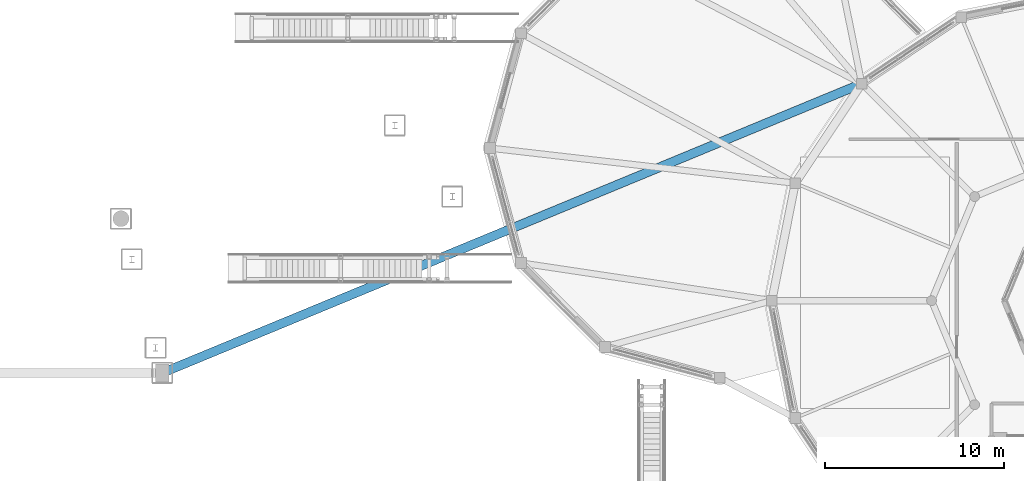
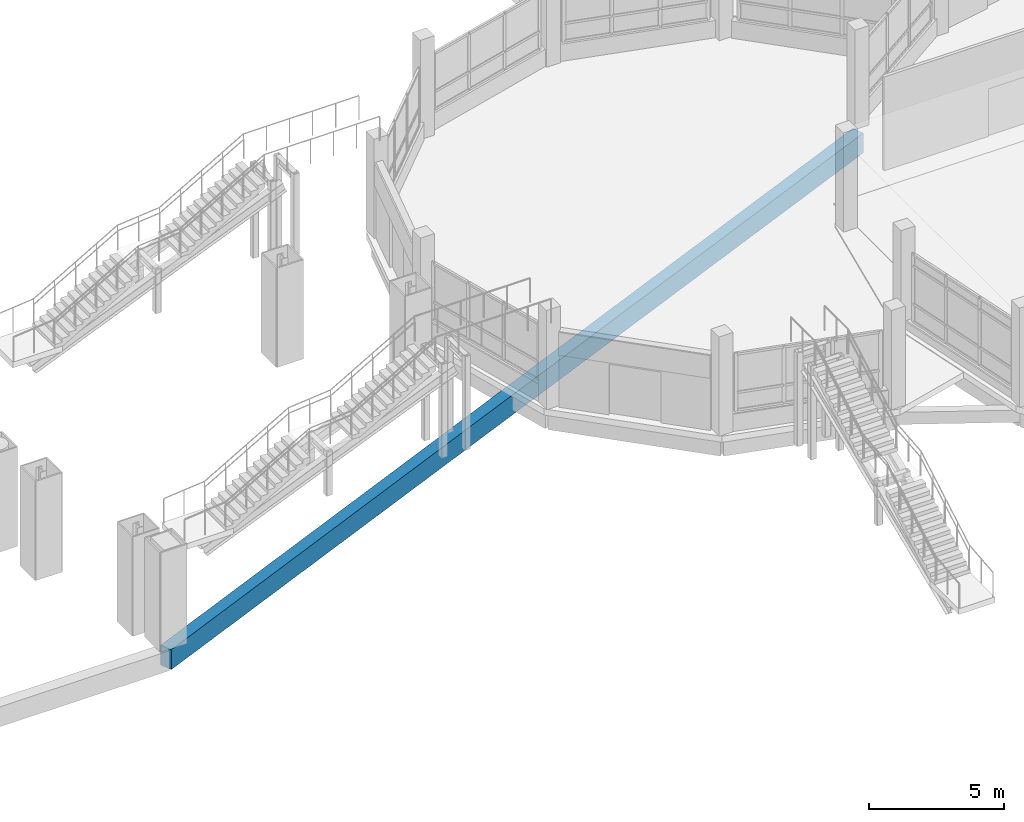
# One storey, part 36 of 129: 1 beam.
"""IFC4 building model written with IfcOpenShell, lengths in metres."""

from ifc_helpers import new_model, si_unit, direction, frame, origin, origin_2d, place, context, subcontext, project, spatial, rectangle, extrude, material, material_profile, profile_set, type_object, element, save


model = new_model("IFC4")

# Units and contexts
model_context = context("Model", 3, precision=1e-05, world=origin(), true_north=direction((0.0, 1.0)))
body_context = subcontext(model_context, "Body", "Model", "MODEL_VIEW")
ifc_project = project(units=[si_unit("LENGTHUNIT", "METRE"), si_unit("AREAUNIT", "SQUARE_METRE"), si_unit("VOLUMEUNIT", "CUBIC_METRE"), si_unit("PLANEANGLEUNIT", "RADIAN"), si_unit("MASSUNIT", "GRAM", prefix="KILO")], contexts=[model_context])

# Site, building, storey
site_placement = place(None, origin())
site = spatial("IfcSite", under=ifc_project, at=site_placement, CompositionType="ELEMENT")
building_placement = place(site_placement, origin())
building = spatial("IfcBuilding", under=site, at=building_placement, Name="Vespera Passage Community Centre", CompositionType="ELEMENT")
storey_placement = place(building_placement, origin())
storey = spatial("IfcBuildingStorey", under=building, at=storey_placement, Name="L00", CompositionType="ELEMENT", Elevation=0.0)

# Beam
ifc_material = material(Name="Concrete f'c 45 MPa", Category="concrete")
ifc_material_profile = material_profile(ifc_material, rectangle(XDim=0.5, YDim=0.89990234375, at=origin_2d()), Name="RC500X900")
ifc_profile_set = profile_set([ifc_material_profile], Name="Concrete f'c 45 MPa")
beam_type = type_object("IfcBeamType", Name="BM-G-500X900", PredefinedType="BEAM", material=ifc_profile_set)
beam_placement = place(storey_placement, frame((89.931640625, 20.970703125, -0.7900390625), z_axis=(0.924079508796, 0.382200289669, 0.0), x_axis=(-0.382200289669, 0.924079508796, 0.0)))
element("IfcBeam", 1, at=beam_placement, inside=storey, type_object=beam_type, Name="Subgrade Structural Tie Girder 5", PredefinedType="BEAM", context=body_context, shape_type="SweptSolid", body=[
    extrude(rectangle(XDim=0.5, YDim=0.89990234375, at=origin_2d()), origin(), (0.0, 0.0, 1.0), 42.178955078125),
])

save(model, "model.ifc")
